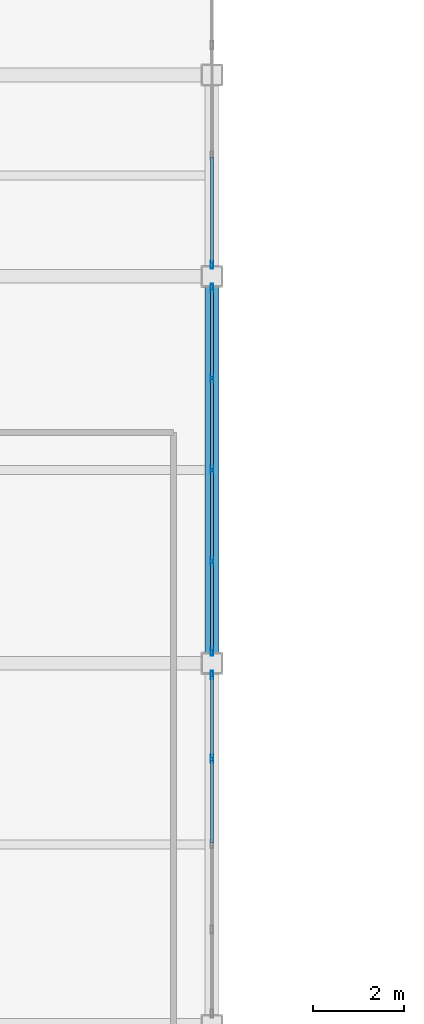
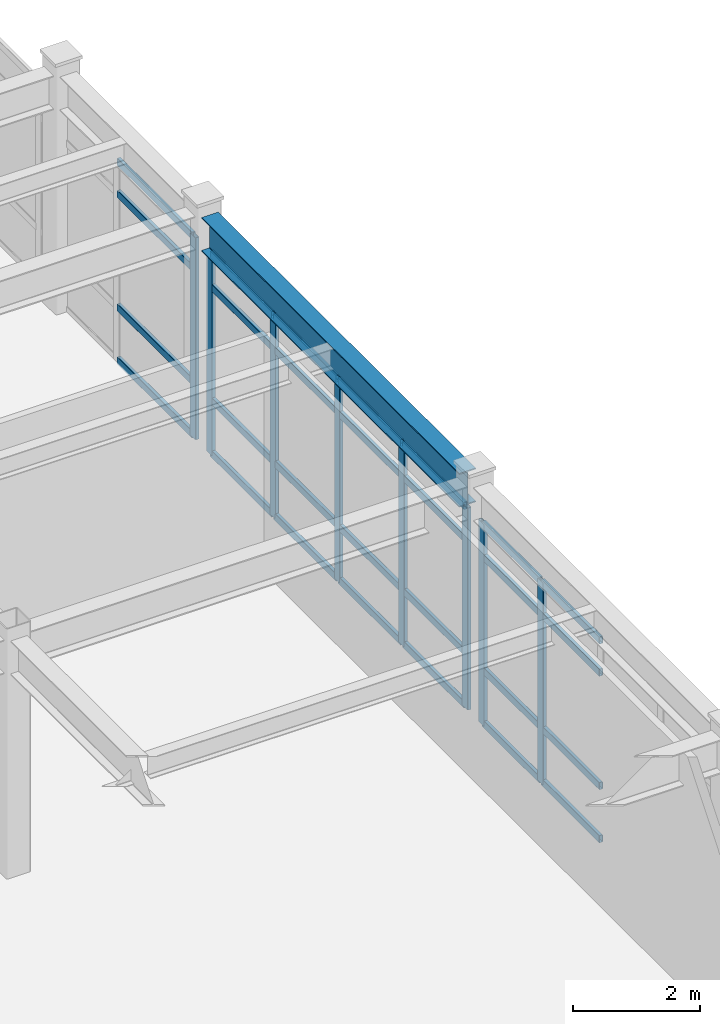
# One storey, part 89 of 172: 36 members, 1 beam, 3 elements without a shape of their own.
"""IFC4 building model written with IfcOpenShell, lengths in metres."""

from ifc_helpers import new_model, si_unit, direction, frame, origin, origin_2d, place, context, subcontext, project, spatial, hollow_rectangle, i_section, extrude, material, layer, layer_set, material_profile, profile_set, type_object, element, aggregate, save


model = new_model("IFC4")

# Units and contexts
model_context = context("Model", 3, precision=1e-05, world=origin(), true_north=direction((0.0, 1.0)))
body_context = subcontext(model_context, "Body", "Model", "MODEL_VIEW")
ifc_project = project(units=[si_unit("LENGTHUNIT", "METRE"), si_unit("AREAUNIT", "SQUARE_METRE"), si_unit("VOLUMEUNIT", "CUBIC_METRE"), si_unit("PLANEANGLEUNIT", "RADIAN"), si_unit("MASSUNIT", "GRAM", prefix="KILO")], contexts=[model_context])

# Site, building, storey
site_placement = place(None, origin())
site = spatial("IfcSite", under=ifc_project, at=site_placement, CompositionType="ELEMENT")
building_placement = place(site_placement, origin())
building = spatial("IfcBuilding", under=site, at=building_placement, Name="Kazehara Bluff Congress Hotel", CompositionType="ELEMENT")
storey_placement = place(building_placement, frame((0.0, 0.0, 5.39990234375)))
storey = spatial("IfcBuildingStorey", under=building, at=storey_placement, Name="L01", CompositionType="ELEMENT", Elevation=5.39990234375)

# Curtain wall, members
ifc_material_1 = material(Name="Anodised aluminium", Category="aluminium")
ifc_layer_1 = layer(ifc_material_1, 0.159912109375)
ifc_layer_set_1 = layer_set([ifc_layer_1], Name="Anodised aluminium")
curtain_wall_type_1 = type_object("IfcCurtainWallType", Name="TP-CW-21", PredefinedType="NOTDEFINED", material=ifc_layer_set_1)
curtain_wall_1_placement = place(storey_placement, origin())
curtain_wall_1 = element("IfcCurtainWall", 1, at=curtain_wall_1_placement, inside=storey, type_object=curtain_wall_type_1, Name="L01 curtain wall CW-21 CW-V3-L01-X10125-8912", PredefinedType="NOTDEFINED")
ifc_material_2 = material(Name="Anodised aluminium", Category="aluminium")
ifc_material_profile_1 = material_profile(ifc_material_2, hollow_rectangle(XDim=0.06494140625, YDim=0.179931640625, WallThickness=0.00390625, InnerFilletRadius=0.00390625, OuterFilletRadius=0.008056640625, at=origin_2d()))
ifc_profile_set_1 = profile_set([ifc_material_profile_1], Name="Anodised aluminium")
member_type_1 = type_object("IfcMemberType", Name="TP-CWM-02", PredefinedType="MULLION", material=ifc_profile_set_1)
member_1_placement = place(storey_placement, frame((101.25, 94.78759765625, 0.0), z_axis=(0.0, 0.0, 1.0), x_axis=(-1.0, 0.0, 0.0)))
member_1 = element("IfcMember", 2, at=member_1_placement, type_object=member_type_1, Name="CW-21 mullion 4", PredefinedType="MULLION", context=body_context, shape_type="SweptSolid", body=[
    extrude(hollow_rectangle(XDim=0.06494140625, YDim=0.179931640625, WallThickness=0.00390625, InnerFilletRadius=0.00390625, OuterFilletRadius=0.008056640625, at=origin_2d()), origin(), (0.0, 0.0, 1.0), 3.875),
])
member_2_placement = place(storey_placement, frame((101.25, 96.642578125, 0.0), z_axis=(0.0, 0.0, 1.0), x_axis=(-1.0, 0.0, 0.0)))
member_2 = element("IfcMember", 3, at=member_2_placement, type_object=member_type_1, Name="CW-21 mullion 5", PredefinedType="MULLION", context=body_context, shape_type="SweptSolid", body=[
    extrude(hollow_rectangle(XDim=0.06494140625, YDim=0.179931640625, WallThickness=0.00390625, InnerFilletRadius=0.00390625, OuterFilletRadius=0.008056640625, at=origin_2d()), origin(), (0.0, 0.0, 1.0), 3.875),
])

ifc_material_3 = material(Name="Anodised aluminium", Category="aluminium")
ifc_layer_2 = layer(ifc_material_3, 0.159912109375)
ifc_layer_set_2 = layer_set([ifc_layer_2], Name="Anodised aluminium")
curtain_wall_type_2 = type_object("IfcCurtainWallType", Name="TP-CW-43", PredefinedType="NOTDEFINED", material=ifc_layer_set_2)
curtain_wall_2_placement = place(storey_placement, origin())
curtain_wall_2 = element("IfcCurtainWall", 4, at=curtain_wall_2_placement, inside=storey, type_object=curtain_wall_type_2, Name="L01 curtain wall CW-43 CW-V3-L01-X10125-9712", PredefinedType="NOTDEFINED")
member_3_placement = place(storey_placement, frame((101.25, 97.157470703125, 0.0), z_axis=(0.0, 0.0, 1.0), x_axis=(-1.0, 0.0, 0.0)))
member_3 = element("IfcMember", 5, at=member_3_placement, type_object=member_type_1, Name="CW-43 mullion 1", PredefinedType="MULLION", context=body_context, shape_type="SweptSolid", body=[
    extrude(hollow_rectangle(XDim=0.06494140625, YDim=0.179931640625, WallThickness=0.00390625, InnerFilletRadius=0.00390625, OuterFilletRadius=0.008056640625, at=origin_2d()), origin(), (0.0, 0.0, 1.0), 3.875),
])
member_4_placement = place(storey_placement, frame((101.25, 99.14990234375, 0.0), z_axis=(0.0, 0.0, 1.0), x_axis=(-1.0, 0.0, 0.0)))
member_4 = element("IfcMember", 6, at=member_4_placement, type_object=member_type_1, Name="CW-43 mullion 2", PredefinedType="MULLION", context=body_context, shape_type="SweptSolid", body=[
    extrude(hollow_rectangle(XDim=0.06494140625, YDim=0.179931640625, WallThickness=0.00390625, InnerFilletRadius=0.00390625, OuterFilletRadius=0.008056640625, at=origin_2d()), origin(), (0.0, 0.0, 1.0), 3.875),
])
member_5_placement = place(storey_placement, frame((101.25, 101.175048828125, 0.0), z_axis=(0.0, 0.0, 1.0), x_axis=(-1.0, 0.0, 0.0)))
member_5 = element("IfcMember", 7, at=member_5_placement, type_object=member_type_1, Name="CW-43 mullion 3", PredefinedType="MULLION", context=body_context, shape_type="SweptSolid", body=[
    extrude(hollow_rectangle(XDim=0.06494140625, YDim=0.179931640625, WallThickness=0.00390625, InnerFilletRadius=0.00390625, OuterFilletRadius=0.008056640625, at=origin_2d()), origin(), (0.0, 0.0, 1.0), 3.875),
])
member_6_placement = place(storey_placement, frame((101.25, 103.199951171875, 0.0), z_axis=(0.0, 0.0, 1.0), x_axis=(-1.0, 0.0, 0.0)))
member_6 = element("IfcMember", 8, at=member_6_placement, type_object=member_type_1, Name="CW-43 mullion 4", PredefinedType="MULLION", context=body_context, shape_type="SweptSolid", body=[
    extrude(hollow_rectangle(XDim=0.06494140625, YDim=0.179931640625, WallThickness=0.00390625, InnerFilletRadius=0.00390625, OuterFilletRadius=0.008056640625, at=origin_2d()), origin(), (0.0, 0.0, 1.0), 3.875),
])
member_7_placement = place(storey_placement, frame((101.25, 105.1923828125, 0.0), z_axis=(0.0, 0.0, 1.0), x_axis=(-1.0, 0.0, 0.0)))
member_7 = element("IfcMember", 9, at=member_7_placement, type_object=member_type_1, Name="CW-43 mullion 5", PredefinedType="MULLION", context=body_context, shape_type="SweptSolid", body=[
    extrude(hollow_rectangle(XDim=0.06494140625, YDim=0.179931640625, WallThickness=0.00390625, InnerFilletRadius=0.00390625, OuterFilletRadius=0.008056640625, at=origin_2d()), origin(), (0.0, 0.0, 1.0), 3.875),
])

# Curtain wall, member
ifc_material_4 = material(Name="Anodised aluminium", Category="aluminium")
ifc_layer_3 = layer(ifc_material_4, 0.159912109375)
ifc_layer_set_3 = layer_set([ifc_layer_3], Name="Anodised aluminium")
curtain_wall_type_3 = type_object("IfcCurtainWallType", Name="TP-CW-44", PredefinedType="NOTDEFINED", material=ifc_layer_set_3)
curtain_wall_3_placement = place(storey_placement, origin())
curtain_wall_3 = element("IfcCurtainWall", 10, at=curtain_wall_3_placement, inside=storey, type_object=curtain_wall_type_3, Name="L01 curtain wall CW-44 CW-V3-L01-X10125-10568", PredefinedType="NOTDEFINED")
member_8_placement = place(storey_placement, frame((101.25, 105.70751953125, 0.0), z_axis=(0.0, 0.0, 1.0), x_axis=(-1.0, 0.0, 0.0)))
member_8 = element("IfcMember", 11, at=member_8_placement, type_object=member_type_1, Name="CW-44 mullion 1", PredefinedType="MULLION", context=body_context, shape_type="SweptSolid", body=[
    extrude(hollow_rectangle(XDim=0.06494140625, YDim=0.179931640625, WallThickness=0.00390625, InnerFilletRadius=0.00390625, OuterFilletRadius=0.008056640625, at=origin_2d()), origin(), (0.0, 0.0, 1.0), 3.875),
])

# Member
ifc_material_5 = material(Name="Anodised aluminium", Category="aluminium")
ifc_material_profile_2 = material_profile(ifc_material_5, hollow_rectangle(XDim=0.06494140625, YDim=0.139892578125, WallThickness=0.00390625, InnerFilletRadius=0.00390625, OuterFilletRadius=0.008056640625, at=origin_2d()))
ifc_profile_set_2 = profile_set([ifc_material_profile_2], Name="Anodised aluminium")
member_type_2 = type_object("IfcMemberType", Name="TP-CWT-02", PredefinedType="USERDEFINED", material=ifc_profile_set_2)
member_9_placement = place(storey_placement, frame((101.25, 92.9326171875, 0.03271484375), z_axis=(0.0, 1.0, 0.0), x_axis=(-1.0, 0.0, 0.0)))
member_9 = element("IfcMember", 12, at=member_9_placement, type_object=member_type_2, Name="CW-21 transom 3.1", ObjectType="TRANSOM", PredefinedType="USERDEFINED", context=body_context, shape_type="SweptSolid", body=[
    extrude(hollow_rectangle(XDim=0.06494140625, YDim=0.139892578125, WallThickness=0.00390625, InnerFilletRadius=0.00390625, OuterFilletRadius=0.008056640625, at=origin_2d()), origin(), (0.0, 0.0, 1.0), 1.822265625),
])

member_10_placement = place(storey_placement, frame((101.25, 92.9326171875, 1.050048828125), z_axis=(0.0, 1.0, 0.0), x_axis=(-1.0, 0.0, 0.0)))
member_10 = element("IfcMember", 13, at=member_10_placement, type_object=member_type_2, Name="CW-21 transom 3.2", ObjectType="TRANSOM", PredefinedType="USERDEFINED", context=body_context, shape_type="SweptSolid", body=[
    extrude(hollow_rectangle(XDim=0.06494140625, YDim=0.139892578125, WallThickness=0.00390625, InnerFilletRadius=0.00390625, OuterFilletRadius=0.008056640625, at=origin_2d()), origin(), (0.0, 0.0, 1.0), 1.822265625),
])

member_11_placement = place(storey_placement, frame((101.25, 92.9326171875, 3.22509765625), z_axis=(0.0, 1.0, 0.0), x_axis=(-1.0, 0.0, 0.0)))
member_11 = element("IfcMember", 14, at=member_11_placement, type_object=member_type_2, Name="CW-21 transom 3.3", ObjectType="TRANSOM", PredefinedType="USERDEFINED", context=body_context, shape_type="SweptSolid", body=[
    extrude(hollow_rectangle(XDim=0.06494140625, YDim=0.139892578125, WallThickness=0.00390625, InnerFilletRadius=0.00390625, OuterFilletRadius=0.008056640625, at=origin_2d()), origin(), (0.0, 0.0, 1.0), 1.822265625),
])

member_12_placement = place(storey_placement, frame((101.25, 92.9326171875, 3.842529296875), z_axis=(0.0, 1.0, 0.0), x_axis=(-1.0, 0.0, 0.0)))
member_12 = element("IfcMember", 15, at=member_12_placement, type_object=member_type_2, Name="CW-21 transom 3.4", ObjectType="TRANSOM", PredefinedType="USERDEFINED", context=body_context, shape_type="SweptSolid", body=[
    extrude(hollow_rectangle(XDim=0.06494140625, YDim=0.139892578125, WallThickness=0.00390625, InnerFilletRadius=0.00390625, OuterFilletRadius=0.008056640625, at=origin_2d()), origin(), (0.0, 0.0, 1.0), 1.822265625),
])

member_13_placement = place(storey_placement, frame((101.25, 94.820068359375, 0.03271484375), z_axis=(0.0, 1.0, 0.0), x_axis=(-1.0, 0.0, 0.0)))
member_13 = element("IfcMember", 16, at=member_13_placement, type_object=member_type_2, Name="CW-21 transom 4.1", ObjectType="TRANSOM", PredefinedType="USERDEFINED", context=body_context, shape_type="SweptSolid", body=[
    extrude(hollow_rectangle(XDim=0.06494140625, YDim=0.139892578125, WallThickness=0.00390625, InnerFilletRadius=0.00390625, OuterFilletRadius=0.008056640625, at=origin_2d()), origin(), (0.0, 0.0, 1.0), 1.7900390625),
])

member_14_placement = place(storey_placement, frame((101.25, 94.820068359375, 1.050048828125), z_axis=(0.0, 1.0, 0.0), x_axis=(-1.0, 0.0, 0.0)))
member_14 = element("IfcMember", 17, at=member_14_placement, type_object=member_type_2, Name="CW-21 transom 4.2", ObjectType="TRANSOM", PredefinedType="USERDEFINED", context=body_context, shape_type="SweptSolid", body=[
    extrude(hollow_rectangle(XDim=0.06494140625, YDim=0.139892578125, WallThickness=0.00390625, InnerFilletRadius=0.00390625, OuterFilletRadius=0.008056640625, at=origin_2d()), origin(), (0.0, 0.0, 1.0), 1.7900390625),
])

member_15_placement = place(storey_placement, frame((101.25, 94.820068359375, 3.22509765625), z_axis=(0.0, 1.0, 0.0), x_axis=(-1.0, 0.0, 0.0)))
member_15 = element("IfcMember", 18, at=member_15_placement, type_object=member_type_2, Name="CW-21 transom 4.3", ObjectType="TRANSOM", PredefinedType="USERDEFINED", context=body_context, shape_type="SweptSolid", body=[
    extrude(hollow_rectangle(XDim=0.06494140625, YDim=0.139892578125, WallThickness=0.00390625, InnerFilletRadius=0.00390625, OuterFilletRadius=0.008056640625, at=origin_2d()), origin(), (0.0, 0.0, 1.0), 1.7900390625),
])

member_16_placement = place(storey_placement, frame((101.25, 94.820068359375, 3.842529296875), z_axis=(0.0, 1.0, 0.0), x_axis=(-1.0, 0.0, 0.0)))
member_16 = element("IfcMember", 19, at=member_16_placement, type_object=member_type_2, Name="CW-21 transom 4.4", ObjectType="TRANSOM", PredefinedType="USERDEFINED", context=body_context, shape_type="SweptSolid", body=[
    extrude(hollow_rectangle(XDim=0.06494140625, YDim=0.139892578125, WallThickness=0.00390625, InnerFilletRadius=0.00390625, OuterFilletRadius=0.008056640625, at=origin_2d()), origin(), (0.0, 0.0, 1.0), 1.7900390625),
])

aggregate(curtain_wall_1, [member_1, member_2, member_9, member_10, member_11, member_12, member_13, member_14, member_15, member_16])

member_17_placement = place(storey_placement, frame((101.25, 97.18994140625, 0.03271484375), z_axis=(0.0, 1.0, 0.0), x_axis=(-1.0, 0.0, 0.0)))
member_17 = element("IfcMember", 20, at=member_17_placement, type_object=member_type_2, Name="CW-43 transom 1.1", ObjectType="TRANSOM", PredefinedType="USERDEFINED", context=body_context, shape_type="SweptSolid", body=[
    extrude(hollow_rectangle(XDim=0.06494140625, YDim=0.139892578125, WallThickness=0.00390625, InnerFilletRadius=0.00390625, OuterFilletRadius=0.008056640625, at=origin_2d()), origin(), (0.0, 0.0, 1.0), 1.927490234375),
])

member_18_placement = place(storey_placement, frame((101.25, 97.18994140625, 1.050048828125), z_axis=(0.0, 1.0, 0.0), x_axis=(-1.0, 0.0, 0.0)))
member_18 = element("IfcMember", 21, at=member_18_placement, type_object=member_type_2, Name="CW-43 transom 1.2", ObjectType="TRANSOM", PredefinedType="USERDEFINED", context=body_context, shape_type="SweptSolid", body=[
    extrude(hollow_rectangle(XDim=0.06494140625, YDim=0.139892578125, WallThickness=0.00390625, InnerFilletRadius=0.00390625, OuterFilletRadius=0.008056640625, at=origin_2d()), origin(), (0.0, 0.0, 1.0), 1.927490234375),
])

member_19_placement = place(storey_placement, frame((101.25, 97.18994140625, 3.22509765625), z_axis=(0.0, 1.0, 0.0), x_axis=(-1.0, 0.0, 0.0)))
member_19 = element("IfcMember", 22, at=member_19_placement, type_object=member_type_2, Name="CW-43 transom 1.3", ObjectType="TRANSOM", PredefinedType="USERDEFINED", context=body_context, shape_type="SweptSolid", body=[
    extrude(hollow_rectangle(XDim=0.06494140625, YDim=0.139892578125, WallThickness=0.00390625, InnerFilletRadius=0.00390625, OuterFilletRadius=0.008056640625, at=origin_2d()), origin(), (0.0, 0.0, 1.0), 1.927490234375),
])

member_20_placement = place(storey_placement, frame((101.25, 97.18994140625, 3.842529296875), z_axis=(0.0, 1.0, 0.0), x_axis=(-1.0, 0.0, 0.0)))
member_20 = element("IfcMember", 23, at=member_20_placement, type_object=member_type_2, Name="CW-43 transom 1.4", ObjectType="TRANSOM", PredefinedType="USERDEFINED", context=body_context, shape_type="SweptSolid", body=[
    extrude(hollow_rectangle(XDim=0.06494140625, YDim=0.139892578125, WallThickness=0.00390625, InnerFilletRadius=0.00390625, OuterFilletRadius=0.008056640625, at=origin_2d()), origin(), (0.0, 0.0, 1.0), 1.927490234375),
])

member_21_placement = place(storey_placement, frame((101.25, 99.1826171875, 0.03271484375), z_axis=(0.0, 1.0, 0.0), x_axis=(-1.0, 0.0, 0.0)))
member_21 = element("IfcMember", 24, at=member_21_placement, type_object=member_type_2, Name="CW-43 transom 2.1", ObjectType="TRANSOM", PredefinedType="USERDEFINED", context=body_context, shape_type="SweptSolid", body=[
    extrude(hollow_rectangle(XDim=0.06494140625, YDim=0.139892578125, WallThickness=0.00390625, InnerFilletRadius=0.00390625, OuterFilletRadius=0.008056640625, at=origin_2d()), origin(), (0.0, 0.0, 1.0), 1.9599609375),
])

member_22_placement = place(storey_placement, frame((101.25, 99.1826171875, 1.050048828125), z_axis=(0.0, 1.0, 0.0), x_axis=(-1.0, 0.0, 0.0)))
member_22 = element("IfcMember", 25, at=member_22_placement, type_object=member_type_2, Name="CW-43 transom 2.2", ObjectType="TRANSOM", PredefinedType="USERDEFINED", context=body_context, shape_type="SweptSolid", body=[
    extrude(hollow_rectangle(XDim=0.06494140625, YDim=0.139892578125, WallThickness=0.00390625, InnerFilletRadius=0.00390625, OuterFilletRadius=0.008056640625, at=origin_2d()), origin(), (0.0, 0.0, 1.0), 1.9599609375),
])

member_23_placement = place(storey_placement, frame((101.25, 99.1826171875, 3.22509765625), z_axis=(0.0, 1.0, 0.0), x_axis=(-1.0, 0.0, 0.0)))
member_23 = element("IfcMember", 26, at=member_23_placement, type_object=member_type_2, Name="CW-43 transom 2.3", ObjectType="TRANSOM", PredefinedType="USERDEFINED", context=body_context, shape_type="SweptSolid", body=[
    extrude(hollow_rectangle(XDim=0.06494140625, YDim=0.139892578125, WallThickness=0.00390625, InnerFilletRadius=0.00390625, OuterFilletRadius=0.008056640625, at=origin_2d()), origin(), (0.0, 0.0, 1.0), 1.9599609375),
])

member_24_placement = place(storey_placement, frame((101.25, 99.1826171875, 3.842529296875), z_axis=(0.0, 1.0, 0.0), x_axis=(-1.0, 0.0, 0.0)))
member_24 = element("IfcMember", 27, at=member_24_placement, type_object=member_type_2, Name="CW-43 transom 2.4", ObjectType="TRANSOM", PredefinedType="USERDEFINED", context=body_context, shape_type="SweptSolid", body=[
    extrude(hollow_rectangle(XDim=0.06494140625, YDim=0.139892578125, WallThickness=0.00390625, InnerFilletRadius=0.00390625, OuterFilletRadius=0.008056640625, at=origin_2d()), origin(), (0.0, 0.0, 1.0), 1.9599609375),
])

member_25_placement = place(storey_placement, frame((101.25, 101.20751953125, 0.03271484375), z_axis=(0.0, 1.0, 0.0), x_axis=(-1.0, 0.0, 0.0)))
member_25 = element("IfcMember", 28, at=member_25_placement, type_object=member_type_2, Name="CW-43 transom 3.1", ObjectType="TRANSOM", PredefinedType="USERDEFINED", context=body_context, shape_type="SweptSolid", body=[
    extrude(hollow_rectangle(XDim=0.06494140625, YDim=0.139892578125, WallThickness=0.00390625, InnerFilletRadius=0.00390625, OuterFilletRadius=0.008056640625, at=origin_2d()), origin(), (0.0, 0.0, 1.0), 1.9599609375),
])

member_26_placement = place(storey_placement, frame((101.25, 101.20751953125, 1.050048828125), z_axis=(0.0, 1.0, 0.0), x_axis=(-1.0, 0.0, 0.0)))
member_26 = element("IfcMember", 29, at=member_26_placement, type_object=member_type_2, Name="CW-43 transom 3.2", ObjectType="TRANSOM", PredefinedType="USERDEFINED", context=body_context, shape_type="SweptSolid", body=[
    extrude(hollow_rectangle(XDim=0.06494140625, YDim=0.139892578125, WallThickness=0.00390625, InnerFilletRadius=0.00390625, OuterFilletRadius=0.008056640625, at=origin_2d()), origin(), (0.0, 0.0, 1.0), 1.9599609375),
])

member_27_placement = place(storey_placement, frame((101.25, 101.20751953125, 3.22509765625), z_axis=(0.0, 1.0, 0.0), x_axis=(-1.0, 0.0, 0.0)))
member_27 = element("IfcMember", 30, at=member_27_placement, type_object=member_type_2, Name="CW-43 transom 3.3", ObjectType="TRANSOM", PredefinedType="USERDEFINED", context=body_context, shape_type="SweptSolid", body=[
    extrude(hollow_rectangle(XDim=0.06494140625, YDim=0.139892578125, WallThickness=0.00390625, InnerFilletRadius=0.00390625, OuterFilletRadius=0.008056640625, at=origin_2d()), origin(), (0.0, 0.0, 1.0), 1.9599609375),
])

member_28_placement = place(storey_placement, frame((101.25, 101.20751953125, 3.842529296875), z_axis=(0.0, 1.0, 0.0), x_axis=(-1.0, 0.0, 0.0)))
member_28 = element("IfcMember", 31, at=member_28_placement, type_object=member_type_2, Name="CW-43 transom 3.4", ObjectType="TRANSOM", PredefinedType="USERDEFINED", context=body_context, shape_type="SweptSolid", body=[
    extrude(hollow_rectangle(XDim=0.06494140625, YDim=0.139892578125, WallThickness=0.00390625, InnerFilletRadius=0.00390625, OuterFilletRadius=0.008056640625, at=origin_2d()), origin(), (0.0, 0.0, 1.0), 1.9599609375),
])

member_29_placement = place(storey_placement, frame((101.25, 103.232421875, 0.03271484375), z_axis=(0.0, 1.0, 0.0), x_axis=(-1.0, 0.0, 0.0)))
member_29 = element("IfcMember", 32, at=member_29_placement, type_object=member_type_2, Name="CW-43 transom 4.1", ObjectType="TRANSOM", PredefinedType="USERDEFINED", context=body_context, shape_type="SweptSolid", body=[
    extrude(hollow_rectangle(XDim=0.06494140625, YDim=0.139892578125, WallThickness=0.00390625, InnerFilletRadius=0.00390625, OuterFilletRadius=0.008056640625, at=origin_2d()), origin(), (0.0, 0.0, 1.0), 1.927490234375),
])

member_30_placement = place(storey_placement, frame((101.25, 103.232421875, 1.050048828125), z_axis=(0.0, 1.0, 0.0), x_axis=(-1.0, 0.0, 0.0)))
member_30 = element("IfcMember", 33, at=member_30_placement, type_object=member_type_2, Name="CW-43 transom 4.2", ObjectType="TRANSOM", PredefinedType="USERDEFINED", context=body_context, shape_type="SweptSolid", body=[
    extrude(hollow_rectangle(XDim=0.06494140625, YDim=0.139892578125, WallThickness=0.00390625, InnerFilletRadius=0.00390625, OuterFilletRadius=0.008056640625, at=origin_2d()), origin(), (0.0, 0.0, 1.0), 1.927490234375),
])

member_31_placement = place(storey_placement, frame((101.25, 103.232421875, 3.22509765625), z_axis=(0.0, 1.0, 0.0), x_axis=(-1.0, 0.0, 0.0)))
member_31 = element("IfcMember", 34, at=member_31_placement, type_object=member_type_2, Name="CW-43 transom 4.3", ObjectType="TRANSOM", PredefinedType="USERDEFINED", context=body_context, shape_type="SweptSolid", body=[
    extrude(hollow_rectangle(XDim=0.06494140625, YDim=0.139892578125, WallThickness=0.00390625, InnerFilletRadius=0.00390625, OuterFilletRadius=0.008056640625, at=origin_2d()), origin(), (0.0, 0.0, 1.0), 1.927490234375),
])

member_32_placement = place(storey_placement, frame((101.25, 103.232421875, 3.842529296875), z_axis=(0.0, 1.0, 0.0), x_axis=(-1.0, 0.0, 0.0)))
member_32 = element("IfcMember", 35, at=member_32_placement, type_object=member_type_2, Name="CW-43 transom 4.4", ObjectType="TRANSOM", PredefinedType="USERDEFINED", context=body_context, shape_type="SweptSolid", body=[
    extrude(hollow_rectangle(XDim=0.06494140625, YDim=0.139892578125, WallThickness=0.00390625, InnerFilletRadius=0.00390625, OuterFilletRadius=0.008056640625, at=origin_2d()), origin(), (0.0, 0.0, 1.0), 1.927490234375),
])

aggregate(curtain_wall_2, [member_3, member_4, member_5, member_6, member_7, member_17, member_18, member_19, member_20, member_21, member_22, member_23, member_24, member_25, member_26, member_27, member_28, member_29, member_30, member_31, member_32])

member_33_placement = place(storey_placement, frame((101.25, 105.739990234375, 0.03271484375), z_axis=(0.0, 1.0, 0.0), x_axis=(-1.0, 0.0, 0.0)))
member_33 = element("IfcMember", 36, at=member_33_placement, type_object=member_type_2, Name="CW-44 transom 1.1", ObjectType="TRANSOM", PredefinedType="USERDEFINED", context=body_context, shape_type="SweptSolid", body=[
    extrude(hollow_rectangle(XDim=0.06494140625, YDim=0.139892578125, WallThickness=0.00390625, InnerFilletRadius=0.00390625, OuterFilletRadius=0.008056640625, at=origin_2d()), origin(), (0.0, 0.0, 1.0), 2.34423828125),
])

member_34_placement = place(storey_placement, frame((101.25, 105.739990234375, 1.050048828125), z_axis=(0.0, 1.0, 0.0), x_axis=(-1.0, 0.0, 0.0)))
member_34 = element("IfcMember", 37, at=member_34_placement, type_object=member_type_2, Name="CW-44 transom 1.2", ObjectType="TRANSOM", PredefinedType="USERDEFINED", context=body_context, shape_type="SweptSolid", body=[
    extrude(hollow_rectangle(XDim=0.06494140625, YDim=0.139892578125, WallThickness=0.00390625, InnerFilletRadius=0.00390625, OuterFilletRadius=0.008056640625, at=origin_2d()), origin(), (0.0, 0.0, 1.0), 2.34423828125),
])

member_35_placement = place(storey_placement, frame((101.25, 105.739990234375, 3.22509765625), z_axis=(0.0, 1.0, 0.0), x_axis=(-1.0, 0.0, 0.0)))
member_35 = element("IfcMember", 38, at=member_35_placement, type_object=member_type_2, Name="CW-44 transom 1.3", ObjectType="TRANSOM", PredefinedType="USERDEFINED", context=body_context, shape_type="SweptSolid", body=[
    extrude(hollow_rectangle(XDim=0.06494140625, YDim=0.139892578125, WallThickness=0.00390625, InnerFilletRadius=0.00390625, OuterFilletRadius=0.008056640625, at=origin_2d()), origin(), (0.0, 0.0, 1.0), 2.34423828125),
])

member_36_placement = place(storey_placement, frame((101.25, 105.739990234375, 3.842529296875), z_axis=(0.0, 1.0, 0.0), x_axis=(-1.0, 0.0, 0.0)))
member_36 = element("IfcMember", 39, at=member_36_placement, type_object=member_type_2, Name="CW-44 transom 1.4", ObjectType="TRANSOM", PredefinedType="USERDEFINED", context=body_context, shape_type="SweptSolid", body=[
    extrude(hollow_rectangle(XDim=0.06494140625, YDim=0.139892578125, WallThickness=0.00390625, InnerFilletRadius=0.00390625, OuterFilletRadius=0.008056640625, at=origin_2d()), origin(), (0.0, 0.0, 1.0), 2.34423828125),
])

aggregate(curtain_wall_3, [member_8, member_33, member_34, member_35, member_36])

# Beam
ifc_material_6 = material(Name="Steel SN490B", Category="steel")
ifc_material_profile_3 = material_profile(ifc_material_6, i_section(OverallWidth=0.300048828125, OverallDepth=0.64990234375, WebThickness=0.011962890625, FlangeThickness=0.02001953125, FilletRadius=0.012939453125, at=origin_2d()))
ifc_profile_set_3 = profile_set([ifc_material_profile_3], Name="Steel SN490B")
beam_type = type_object("IfcBeamType", Name="TP-G-03", PredefinedType="BEAM", material=ifc_profile_set_3)
beam_placement = place(storey_placement, frame((101.25, 97.125, 4.22509765625), z_axis=(0.0, 1.0, 0.0), x_axis=(-1.0, 0.0, 0.0)))
element("IfcBeam", 40, at=beam_placement, inside=storey, type_object=beam_type, Name="L01 girder G-03 121", PredefinedType="BEAM", context=body_context, shape_type="SweptSolid", body=[
    extrude(i_section(OverallWidth=0.300048828125, OverallDepth=0.64990234375, WebThickness=0.011962890625, FlangeThickness=0.02001953125, FilletRadius=0.012939453125, at=origin_2d()), origin(), (0.0, 0.0, 1.0), 8.10009765625),
])

save(model, "model.ifc")
